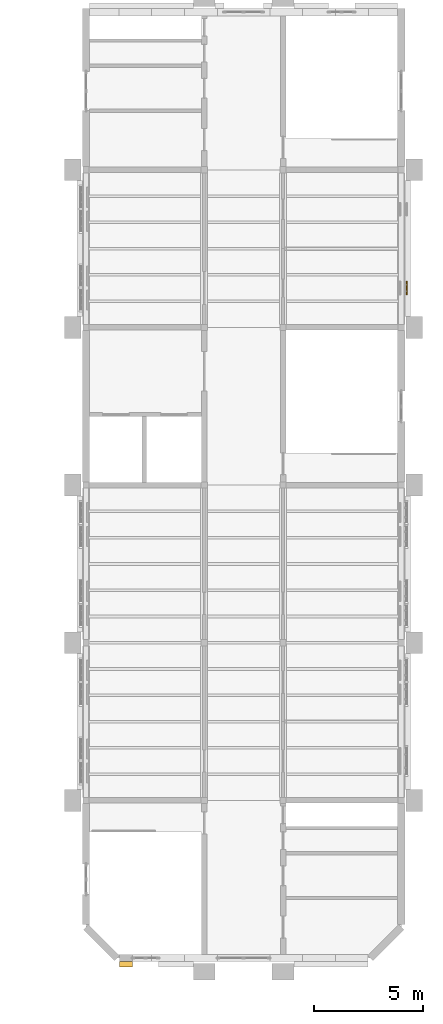
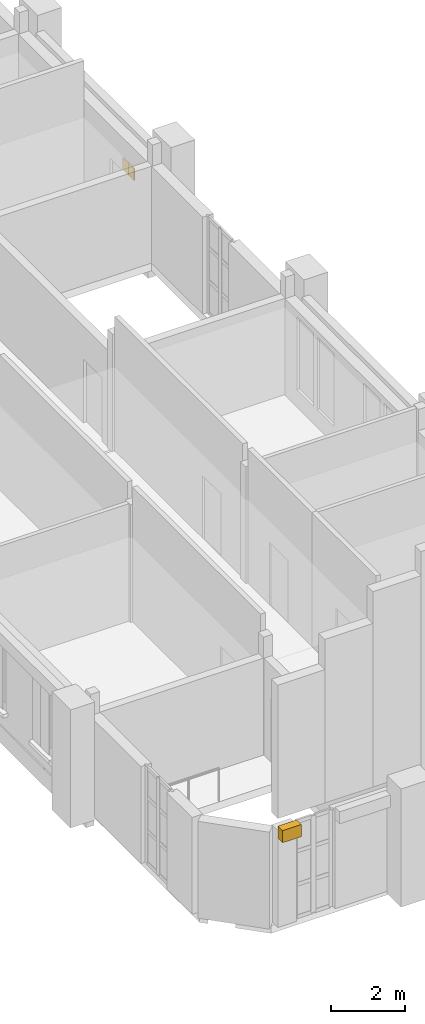
# One storey, part 70 of 71: 3 coverings.
"""IFC4 building model written with IfcOpenShell, lengths in metres."""

from ifc_helpers import new_model, si_unit, direction, frame, origin, origin_2d, place, context, subcontext, project, spatial, polyline, rectangle, outline, extrude, material, layer, layer_set, type_object, element, save


model = new_model("IFC4")

# Units and contexts
model_context = context("Model", 3, precision=1e-05, world=origin(), true_north=direction((0.0, 1.0)))
body_context = subcontext(model_context, "Body", "Model", "MODEL_VIEW")
ifc_project = project(units=[si_unit("LENGTHUNIT", "METRE"), si_unit("AREAUNIT", "SQUARE_METRE"), si_unit("VOLUMEUNIT", "CUBIC_METRE"), si_unit("PLANEANGLEUNIT", "RADIAN"), si_unit("MASSUNIT", "GRAM", prefix="KILO")], contexts=[model_context])

# Site, building, storey
site_placement = place(None, origin())
site = spatial("IfcSite", under=ifc_project, at=site_placement, CompositionType="ELEMENT")
building_placement = place(site_placement, origin())
building = spatial("IfcBuilding", under=site, at=building_placement, Name="Mazhai Court Health Centre", CompositionType="ELEMENT")
storey_placement = place(building_placement, frame((0.0, 0.0, 10.199951171875)))
storey = spatial("IfcBuildingStorey", under=building, at=storey_placement, Name="L02", CompositionType="ELEMENT", Elevation=10.199951171875)

# Coverings
ifc_material_1 = material(Name="Clay brick masonry", Category="masonry")
ifc_layer_1 = layer(ifc_material_1, 0.25)
ifc_layer_set_1 = layer_set([ifc_layer_1], Name="BRICK BAND 250")
covering_type_1 = type_object("IfcCoveringType", Name="BRICK BAND 250", PredefinedType="MOLDING", material=ifc_layer_set_1)
covering_placement = place(storey_placement, frame((0.0, 0.0, 2.949951171875)))
element("IfcCovering", 1, at=covering_placement, inside=storey, type_object=covering_type_1, Name="EB-V6-L02-Sp0-0", PredefinedType="MOLDING", context=body_context, shape_type="SweptSolid", body=[
    extrude(outline(polyline([(137.919921875, 6.034912109375), (137.3310546875, 6.034912109375), (137.3310546875, 5.784912109375), (137.919921875, 5.784912109375), (137.919921875, 6.034912109375)])), origin(), (0.0, 0.0, 1.0), 0.400146484375),
])
ifc_material_2 = material(Name="Aluminium louvre", Category="aluminium")
ifc_layer_2 = layer(ifc_material_2, 0.0400390625)
ifc_layer_set_2 = layer_set([ifc_layer_2], Name="SHUTTER LEAF 600x40")
covering_type_2 = type_object("IfcCoveringType", Name="SHUTTER LEAF 600x40", PredefinedType="CLADDING", material=ifc_layer_set_2)
for number, where, z_axis, x_axis, name in (
    (2, (150.445068359375, 36.64990234375, 1.60009765625), (0.0, 0.0, 1.0), (0.0, 1.0, 0.0), "LV-V6-L02-B40a"),
    (3, (150.445068359375, 36.949951171875, 1.60009765625), (0.0, 0.0, 1.0), (0.0, 1.0, 0.0), "LV-V6-L02-B40b"),
):
    element("IfcCovering", number, at=place(storey_placement, frame(where, z_axis=z_axis, x_axis=x_axis)), inside=storey, type_object=covering_type_2, Name=name, PredefinedType="CLADDING", context=body_context, shape_type="SweptSolid", body=[
        extrude(rectangle(XDim=0.300048828125, YDim=0.0400390625, at=origin_2d()), origin(), (0.0, 0.0, 1.0), 0.39990234375),
    ])

save(model, "model.ifc")
